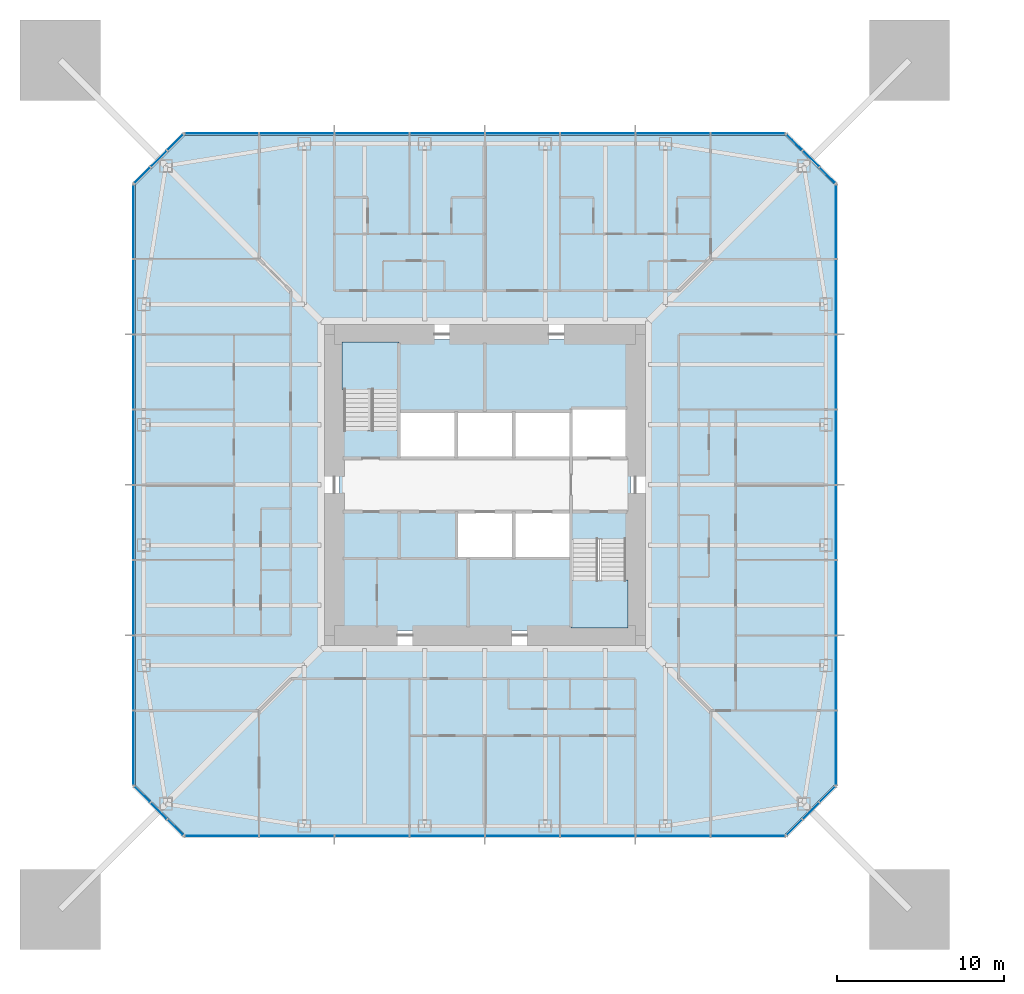
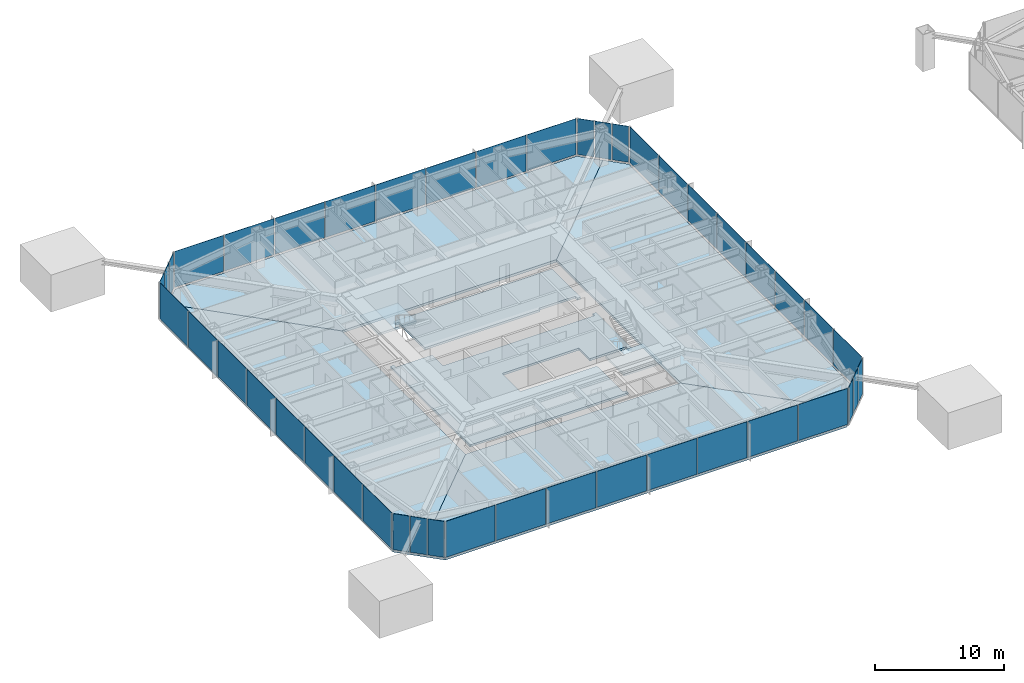
# One storey, part 11 of 25: 44 plates, 8 slabs, 10 elements without a shape of their own.
"""IFC4 building model written with IfcOpenShell, lengths in metres."""

from ifc_helpers import new_model, si_unit, direction, frame, origin, origin_2d, place, context, subcontext, project, spatial, polyline, rectangle, outline, extrude, material, layer, layer_set, constituent, constituent_set, type_object, element, aggregate, save


model = new_model("IFC4")

# Units and contexts
model_context = context("Model", 3, precision=1e-05, world=origin(), true_north=direction((0.0, 1.0)))
body_context = subcontext(model_context, "Body", "Model", "MODEL_VIEW")
ifc_project = project(units=[si_unit("LENGTHUNIT", "METRE"), si_unit("AREAUNIT", "SQUARE_METRE"), si_unit("VOLUMEUNIT", "CUBIC_METRE"), si_unit("PLANEANGLEUNIT", "RADIAN"), si_unit("MASSUNIT", "GRAM", prefix="KILO")], contexts=[model_context])

# Site, building, storey
site_placement = place(None, origin())
site = spatial("IfcSite", under=ifc_project, at=site_placement, CompositionType="ELEMENT")
building_placement = place(site_placement, origin())
building = spatial("IfcBuilding", under=site, at=building_placement, Name="Iwan Alto Co-Living Towers", CompositionType="ELEMENT")
storey_placement = place(building_placement, frame((0.0, 0.0, 112.0)))
storey = spatial("IfcBuildingStorey", under=building, at=storey_placement, Name="L30", CompositionType="ELEMENT", Elevation=112.0)

# Slabs
ifc_material_1 = material(Name="Concrete f'c 30 MPa", Category="concrete")
ifc_layer_1 = layer(ifc_material_1, 0.199951171875)
ifc_layer_set_1 = layer_set([ifc_layer_1], Name="CORE FLOOR SLAB 200")
slab_type_1 = type_object("IfcSlabType", Name="CORE FLOOR SLAB 200", PredefinedType="FLOOR", material=ifc_layer_set_1)
slab_1_placement = place(storey_placement, frame((0.0, 0.0, -0.199951171875)))
element("IfcSlab", 1, at=slab_1_placement, inside=storey, type_object=slab_type_1, Name="T1 core floor L30", PredefinedType="FLOOR", context=body_context, shape_type="SweptSolid", body=[
    extrude(outline(polyline([(5.14990234375, -1.60009765625), (1.72509765625, -1.60009765625), (-1.699951171875, -1.60009765625), (-1.699951171875, -4.39990234375), (1.72509765625, -4.39990234375), (5.14990234375, -4.39990234375), (5.14990234375, -8.39990234375), (5.4599609375, -8.39990234375), (5.4599609375, -8.699951171875), (-8.699951171875, -8.699951171875), (-8.699951171875, 3.580078125), (-8.39990234375, 3.580078125), (-8.39990234375, 3.27001953125), (-5.14990234375, 3.27001953125), (-5.14990234375, 1.60009765625), (-1.717041015625, 1.60009765625), (1.717041015625, 1.60009765625), (5.14990234375, 1.60009765625), (8.39990234375, 1.60009765625), (8.39990234375, 1.909912109375), (8.699951171875, 1.909912109375), (8.699951171875, -3.580078125), (8.39990234375, -3.580078125), (8.39990234375, -3.27001953125), (5.14990234375, -3.27001953125), (5.14990234375, -1.60009765625)])), origin(), (0.0, 0.0, 1.0), 0.199951171875),
])
slab_2_placement = place(storey_placement, frame((0.0, 0.0, -0.199951171875)))
element("IfcSlab", 2, at=slab_2_placement, inside=storey, type_object=slab_type_1, Name="T1 core floor L30", PredefinedType="FLOOR", context=body_context, shape_type="SweptSolid", body=[
    extrude(outline(polyline([(1.717041015625, 4.39990234375), (-1.717041015625, 4.39990234375), (-5.14990234375, 4.39990234375), (-5.14990234375, 8.39990234375), (-5.4599609375, 8.39990234375), (-5.4599609375, 8.699951171875), (8.699951171875, 8.699951171875), (8.699951171875, 4.2900390625), (8.39990234375, 4.2900390625), (8.39990234375, 4.60009765625), (5.14990234375, 4.60009765625), (5.14990234375, 4.39990234375), (1.717041015625, 4.39990234375)])), origin(), (0.0, 0.0, 1.0), 0.199951171875),
])

# Curtain wall, plates
ifc_material_2 = material(Name="Bronze aluminium unitised frame", Category="aluminium")
curtain_wall_type_1 = type_object("IfcCurtainWallType", Name="CURTAIN WALL CW-A", PredefinedType="NOTDEFINED", material=ifc_material_2)
curtain_wall_1_placement = place(storey_placement, origin())
curtain_wall_1 = element("IfcCurtainWall", 3, at=curtain_wall_1_placement, inside=storey, type_object=curtain_wall_type_1, Name="T1 curtain wall S L30", PredefinedType="NOTDEFINED")
ifc_material_3 = material(Name="Bronze-tinted insulating glass", Category="glass")
ifc_layer_2 = layer(ifc_material_3, 0.031982421875)
ifc_layer_set_2 = layer_set([ifc_layer_2], Name="CW-A PANEL TINTED IGU 32")
plate_type_1 = type_object("IfcPlateType", Name="CW-A PANEL TINTED IGU 32", PredefinedType="CURTAIN_PANEL", material=ifc_layer_set_2)
plate_1_placement = place(storey_placement, frame((-15.72998046875, -21.0, 0.10009765625), z_axis=(0.0, 0.0, 1.0), x_axis=(1.0, 0.0, 0.0)))
plate_1 = element("IfcPlate", 4, at=plate_1_placement, type_object=plate_type_1, Name="CW-A panel 1.1", PredefinedType="CURTAIN_PANEL", context=body_context, shape_type="SweptSolid", body=[
    extrude(rectangle(XDim=4.3798828125, YDim=0.031982421875, at=origin_2d()), origin(), (0.0, 0.0, 1.0), 3.39990234375),
])
plate_2_placement = place(storey_placement, frame((-11.25, -21.0, 0.10009765625), z_axis=(0.0, 0.0, 1.0), x_axis=(1.0, 0.0, 0.0)))
plate_2 = element("IfcPlate", 5, at=plate_2_placement, type_object=plate_type_1, Name="CW-A panel 2.1", PredefinedType="CURTAIN_PANEL", context=body_context, shape_type="SweptSolid", body=[
    extrude(rectangle(XDim=4.419921875, YDim=0.031982421875, at=origin_2d()), origin(), (0.0, 0.0, 1.0), 3.39990234375),
])
plate_3_placement = place(storey_placement, frame((-6.75, -21.0, 0.10009765625), z_axis=(0.0, 0.0, 1.0), x_axis=(1.0, 0.0, 0.0)))
plate_3 = element("IfcPlate", 6, at=plate_3_placement, type_object=plate_type_1, Name="CW-A panel 3.1", PredefinedType="CURTAIN_PANEL", context=body_context, shape_type="SweptSolid", body=[
    extrude(rectangle(XDim=4.419921875, YDim=0.031982421875, at=origin_2d()), origin(), (0.0, 0.0, 1.0), 3.39990234375),
])
plate_4_placement = place(storey_placement, frame((-2.25, -21.0, 0.10009765625), z_axis=(0.0, 0.0, 1.0), x_axis=(1.0, 0.0, 0.0)))
plate_4 = element("IfcPlate", 7, at=plate_4_placement, type_object=plate_type_1, Name="CW-A panel 4.1", PredefinedType="CURTAIN_PANEL", context=body_context, shape_type="SweptSolid", body=[
    extrude(rectangle(XDim=4.419921875, YDim=0.031982421875, at=origin_2d()), origin(), (0.0, 0.0, 1.0), 3.39990234375),
])
plate_5_placement = place(storey_placement, frame((2.25, -21.0, 0.10009765625), z_axis=(0.0, 0.0, 1.0), x_axis=(1.0, 0.0, 0.0)))
plate_5 = element("IfcPlate", 8, at=plate_5_placement, type_object=plate_type_1, Name="CW-A panel 5.1", PredefinedType="CURTAIN_PANEL", context=body_context, shape_type="SweptSolid", body=[
    extrude(rectangle(XDim=4.419921875, YDim=0.031982421875, at=origin_2d()), origin(), (0.0, 0.0, 1.0), 3.39990234375),
])
plate_6_placement = place(storey_placement, frame((6.75, -21.0, 0.10009765625), z_axis=(0.0, 0.0, 1.0), x_axis=(1.0, 0.0, 0.0)))
plate_6 = element("IfcPlate", 9, at=plate_6_placement, type_object=plate_type_1, Name="CW-A panel 6.1", PredefinedType="CURTAIN_PANEL", context=body_context, shape_type="SweptSolid", body=[
    extrude(rectangle(XDim=4.419921875, YDim=0.031982421875, at=origin_2d()), origin(), (0.0, 0.0, 1.0), 3.39990234375),
])
plate_7_placement = place(storey_placement, frame((11.25, -21.0, 0.10009765625), z_axis=(0.0, 0.0, 1.0), x_axis=(1.0, 0.0, 0.0)))
plate_7 = element("IfcPlate", 10, at=plate_7_placement, type_object=plate_type_1, Name="CW-A panel 7.1", PredefinedType="CURTAIN_PANEL", context=body_context, shape_type="SweptSolid", body=[
    extrude(rectangle(XDim=4.419921875, YDim=0.031982421875, at=origin_2d()), origin(), (0.0, 0.0, 1.0), 3.39990234375),
])
plate_8_placement = place(storey_placement, frame((15.72998046875, -21.0, 0.10009765625), z_axis=(0.0, 0.0, 1.0), x_axis=(1.0, 0.0, 0.0)))
plate_8 = element("IfcPlate", 11, at=plate_8_placement, type_object=plate_type_1, Name="CW-A panel 8.1", PredefinedType="CURTAIN_PANEL", context=body_context, shape_type="SweptSolid", body=[
    extrude(rectangle(XDim=4.3798828125, YDim=0.031982421875, at=origin_2d()), origin(), (0.0, 0.0, 1.0), 3.39990234375),
])
aggregate(curtain_wall_1, [plate_1, plate_2, plate_3, plate_4, plate_5, plate_6, plate_7, plate_8])

curtain_wall_2_placement = place(storey_placement, origin())
curtain_wall_2 = element("IfcCurtainWall", 12, at=curtain_wall_2_placement, inside=storey, type_object=curtain_wall_type_1, Name="T1 curtain wall E L30", PredefinedType="NOTDEFINED")
plate_9_placement = place(storey_placement, frame((21.0, -15.72998046875, 0.10009765625), z_axis=(0.0, 0.0, 1.0), x_axis=(0.0, 1.0, 0.0)))
plate_9 = element("IfcPlate", 13, at=plate_9_placement, type_object=plate_type_1, Name="CW-A panel 1.1", PredefinedType="CURTAIN_PANEL", context=body_context, shape_type="SweptSolid", body=[
    extrude(rectangle(XDim=4.3798828125, YDim=0.031982421875, at=origin_2d()), origin(), (0.0, 0.0, 1.0), 3.39990234375),
])
plate_10_placement = place(storey_placement, frame((21.0, -11.25, 0.10009765625), z_axis=(0.0, 0.0, 1.0), x_axis=(0.0, 1.0, 0.0)))
plate_10 = element("IfcPlate", 14, at=plate_10_placement, type_object=plate_type_1, Name="CW-A panel 2.1", PredefinedType="CURTAIN_PANEL", context=body_context, shape_type="SweptSolid", body=[
    extrude(rectangle(XDim=4.419921875, YDim=0.031982421875, at=origin_2d()), origin(), (0.0, 0.0, 1.0), 3.39990234375),
])
plate_11_placement = place(storey_placement, frame((21.0, -6.75, 0.10009765625), z_axis=(0.0, 0.0, 1.0), x_axis=(0.0, 1.0, 0.0)))
plate_11 = element("IfcPlate", 15, at=plate_11_placement, type_object=plate_type_1, Name="CW-A panel 3.1", PredefinedType="CURTAIN_PANEL", context=body_context, shape_type="SweptSolid", body=[
    extrude(rectangle(XDim=4.419921875, YDim=0.031982421875, at=origin_2d()), origin(), (0.0, 0.0, 1.0), 3.39990234375),
])
plate_12_placement = place(storey_placement, frame((21.0, -2.25, 0.10009765625), z_axis=(0.0, 0.0, 1.0), x_axis=(0.0, 1.0, 0.0)))
plate_12 = element("IfcPlate", 16, at=plate_12_placement, type_object=plate_type_1, Name="CW-A panel 4.1", PredefinedType="CURTAIN_PANEL", context=body_context, shape_type="SweptSolid", body=[
    extrude(rectangle(XDim=4.419921875, YDim=0.031982421875, at=origin_2d()), origin(), (0.0, 0.0, 1.0), 3.39990234375),
])
plate_13_placement = place(storey_placement, frame((21.0, 2.25, 0.10009765625), z_axis=(0.0, 0.0, 1.0), x_axis=(0.0, 1.0, 0.0)))
plate_13 = element("IfcPlate", 17, at=plate_13_placement, type_object=plate_type_1, Name="CW-A panel 5.1", PredefinedType="CURTAIN_PANEL", context=body_context, shape_type="SweptSolid", body=[
    extrude(rectangle(XDim=4.419921875, YDim=0.031982421875, at=origin_2d()), origin(), (0.0, 0.0, 1.0), 3.39990234375),
])
plate_14_placement = place(storey_placement, frame((21.0, 6.75, 0.10009765625), z_axis=(0.0, 0.0, 1.0), x_axis=(0.0, 1.0, 0.0)))
plate_14 = element("IfcPlate", 18, at=plate_14_placement, type_object=plate_type_1, Name="CW-A panel 6.1", PredefinedType="CURTAIN_PANEL", context=body_context, shape_type="SweptSolid", body=[
    extrude(rectangle(XDim=4.419921875, YDim=0.031982421875, at=origin_2d()), origin(), (0.0, 0.0, 1.0), 3.39990234375),
])
plate_15_placement = place(storey_placement, frame((21.0, 11.25, 0.10009765625), z_axis=(0.0, 0.0, 1.0), x_axis=(0.0, 1.0, 0.0)))
plate_15 = element("IfcPlate", 19, at=plate_15_placement, type_object=plate_type_1, Name="CW-A panel 7.1", PredefinedType="CURTAIN_PANEL", context=body_context, shape_type="SweptSolid", body=[
    extrude(rectangle(XDim=4.419921875, YDim=0.031982421875, at=origin_2d()), origin(), (0.0, 0.0, 1.0), 3.39990234375),
])
plate_16_placement = place(storey_placement, frame((21.0, 15.72998046875, 0.10009765625), z_axis=(0.0, 0.0, 1.0), x_axis=(0.0, 1.0, 0.0)))
plate_16 = element("IfcPlate", 20, at=plate_16_placement, type_object=plate_type_1, Name="CW-A panel 8.1", PredefinedType="CURTAIN_PANEL", context=body_context, shape_type="SweptSolid", body=[
    extrude(rectangle(XDim=4.3798828125, YDim=0.031982421875, at=origin_2d()), origin(), (0.0, 0.0, 1.0), 3.39990234375),
])
aggregate(curtain_wall_2, [plate_9, plate_10, plate_11, plate_12, plate_13, plate_14, plate_15, plate_16])

curtain_wall_3_placement = place(storey_placement, origin())
curtain_wall_3 = element("IfcCurtainWall", 21, at=curtain_wall_3_placement, inside=storey, type_object=curtain_wall_type_1, Name="T1 curtain wall N L30", PredefinedType="NOTDEFINED")
plate_17_placement = place(storey_placement, frame((15.72998046875, 21.0, 0.10009765625), z_axis=(0.0, 0.0, 1.0), x_axis=(-1.0, 0.0, 0.0)))
plate_17 = element("IfcPlate", 22, at=plate_17_placement, type_object=plate_type_1, Name="CW-A panel 1.1", PredefinedType="CURTAIN_PANEL", context=body_context, shape_type="SweptSolid", body=[
    extrude(rectangle(XDim=4.3798828125, YDim=0.031982421875, at=origin_2d()), origin(), (0.0, 0.0, 1.0), 3.39990234375),
])
plate_18_placement = place(storey_placement, frame((11.25, 21.0, 0.10009765625), z_axis=(0.0, 0.0, 1.0), x_axis=(-1.0, 0.0, 0.0)))
plate_18 = element("IfcPlate", 23, at=plate_18_placement, type_object=plate_type_1, Name="CW-A panel 2.1", PredefinedType="CURTAIN_PANEL", context=body_context, shape_type="SweptSolid", body=[
    extrude(rectangle(XDim=4.419921875, YDim=0.031982421875, at=origin_2d()), origin(), (0.0, 0.0, 1.0), 3.39990234375),
])
plate_19_placement = place(storey_placement, frame((6.75, 21.0, 0.10009765625), z_axis=(0.0, 0.0, 1.0), x_axis=(-1.0, 0.0, 0.0)))
plate_19 = element("IfcPlate", 24, at=plate_19_placement, type_object=plate_type_1, Name="CW-A panel 3.1", PredefinedType="CURTAIN_PANEL", context=body_context, shape_type="SweptSolid", body=[
    extrude(rectangle(XDim=4.419921875, YDim=0.031982421875, at=origin_2d()), origin(), (0.0, 0.0, 1.0), 3.39990234375),
])
plate_20_placement = place(storey_placement, frame((2.25, 21.0, 0.10009765625), z_axis=(0.0, 0.0, 1.0), x_axis=(-1.0, 0.0, 0.0)))
plate_20 = element("IfcPlate", 25, at=plate_20_placement, type_object=plate_type_1, Name="CW-A panel 4.1", PredefinedType="CURTAIN_PANEL", context=body_context, shape_type="SweptSolid", body=[
    extrude(rectangle(XDim=4.419921875, YDim=0.031982421875, at=origin_2d()), origin(), (0.0, 0.0, 1.0), 3.39990234375),
])
plate_21_placement = place(storey_placement, frame((-2.25, 21.0, 0.10009765625), z_axis=(0.0, 0.0, 1.0), x_axis=(-1.0, 0.0, 0.0)))
plate_21 = element("IfcPlate", 26, at=plate_21_placement, type_object=plate_type_1, Name="CW-A panel 5.1", PredefinedType="CURTAIN_PANEL", context=body_context, shape_type="SweptSolid", body=[
    extrude(rectangle(XDim=4.419921875, YDim=0.031982421875, at=origin_2d()), origin(), (0.0, 0.0, 1.0), 3.39990234375),
])
plate_22_placement = place(storey_placement, frame((-6.75, 21.0, 0.10009765625), z_axis=(0.0, 0.0, 1.0), x_axis=(-1.0, 0.0, 0.0)))
plate_22 = element("IfcPlate", 27, at=plate_22_placement, type_object=plate_type_1, Name="CW-A panel 6.1", PredefinedType="CURTAIN_PANEL", context=body_context, shape_type="SweptSolid", body=[
    extrude(rectangle(XDim=4.419921875, YDim=0.031982421875, at=origin_2d()), origin(), (0.0, 0.0, 1.0), 3.39990234375),
])
plate_23_placement = place(storey_placement, frame((-11.25, 21.0, 0.10009765625), z_axis=(0.0, 0.0, 1.0), x_axis=(-1.0, 0.0, 0.0)))
plate_23 = element("IfcPlate", 28, at=plate_23_placement, type_object=plate_type_1, Name="CW-A panel 7.1", PredefinedType="CURTAIN_PANEL", context=body_context, shape_type="SweptSolid", body=[
    extrude(rectangle(XDim=4.419921875, YDim=0.031982421875, at=origin_2d()), origin(), (0.0, 0.0, 1.0), 3.39990234375),
])
plate_24_placement = place(storey_placement, frame((-15.72998046875, 21.0, 0.10009765625), z_axis=(0.0, 0.0, 1.0), x_axis=(-1.0, 0.0, 0.0)))
plate_24 = element("IfcPlate", 29, at=plate_24_placement, type_object=plate_type_1, Name="CW-A panel 8.1", PredefinedType="CURTAIN_PANEL", context=body_context, shape_type="SweptSolid", body=[
    extrude(rectangle(XDim=4.3798828125, YDim=0.031982421875, at=origin_2d()), origin(), (0.0, 0.0, 1.0), 3.39990234375),
])
aggregate(curtain_wall_3, [plate_17, plate_18, plate_19, plate_20, plate_21, plate_22, plate_23, plate_24])

curtain_wall_4_placement = place(storey_placement, origin())
curtain_wall_4 = element("IfcCurtainWall", 30, at=curtain_wall_4_placement, inside=storey, type_object=curtain_wall_type_1, Name="T1 curtain wall W L30", PredefinedType="NOTDEFINED")
plate_25_placement = place(storey_placement, frame((-21.0, 15.72998046875, 0.10009765625), z_axis=(0.0, 0.0, 1.0), x_axis=(0.0, -1.0, 0.0)))
plate_25 = element("IfcPlate", 31, at=plate_25_placement, type_object=plate_type_1, Name="CW-A panel 1.1", PredefinedType="CURTAIN_PANEL", context=body_context, shape_type="SweptSolid", body=[
    extrude(rectangle(XDim=4.3798828125, YDim=0.031982421875, at=origin_2d()), origin(), (0.0, 0.0, 1.0), 3.39990234375),
])
plate_26_placement = place(storey_placement, frame((-21.0, 11.25, 0.10009765625), z_axis=(0.0, 0.0, 1.0), x_axis=(0.0, -1.0, 0.0)))
plate_26 = element("IfcPlate", 32, at=plate_26_placement, type_object=plate_type_1, Name="CW-A panel 2.1", PredefinedType="CURTAIN_PANEL", context=body_context, shape_type="SweptSolid", body=[
    extrude(rectangle(XDim=4.419921875, YDim=0.031982421875, at=origin_2d()), origin(), (0.0, 0.0, 1.0), 3.39990234375),
])
plate_27_placement = place(storey_placement, frame((-21.0, 6.75, 0.10009765625), z_axis=(0.0, 0.0, 1.0), x_axis=(0.0, -1.0, 0.0)))
plate_27 = element("IfcPlate", 33, at=plate_27_placement, type_object=plate_type_1, Name="CW-A panel 3.1", PredefinedType="CURTAIN_PANEL", context=body_context, shape_type="SweptSolid", body=[
    extrude(rectangle(XDim=4.419921875, YDim=0.031982421875, at=origin_2d()), origin(), (0.0, 0.0, 1.0), 3.39990234375),
])
plate_28_placement = place(storey_placement, frame((-21.0, 2.25, 0.10009765625), z_axis=(0.0, 0.0, 1.0), x_axis=(0.0, -1.0, 0.0)))
plate_28 = element("IfcPlate", 34, at=plate_28_placement, type_object=plate_type_1, Name="CW-A panel 4.1", PredefinedType="CURTAIN_PANEL", context=body_context, shape_type="SweptSolid", body=[
    extrude(rectangle(XDim=4.419921875, YDim=0.031982421875, at=origin_2d()), origin(), (0.0, 0.0, 1.0), 3.39990234375),
])
plate_29_placement = place(storey_placement, frame((-21.0, -2.25, 0.10009765625), z_axis=(0.0, 0.0, 1.0), x_axis=(0.0, -1.0, 0.0)))
plate_29 = element("IfcPlate", 35, at=plate_29_placement, type_object=plate_type_1, Name="CW-A panel 5.1", PredefinedType="CURTAIN_PANEL", context=body_context, shape_type="SweptSolid", body=[
    extrude(rectangle(XDim=4.419921875, YDim=0.031982421875, at=origin_2d()), origin(), (0.0, 0.0, 1.0), 3.39990234375),
])
plate_30_placement = place(storey_placement, frame((-21.0, -6.75, 0.10009765625), z_axis=(0.0, 0.0, 1.0), x_axis=(0.0, -1.0, 0.0)))
plate_30 = element("IfcPlate", 36, at=plate_30_placement, type_object=plate_type_1, Name="CW-A panel 6.1", PredefinedType="CURTAIN_PANEL", context=body_context, shape_type="SweptSolid", body=[
    extrude(rectangle(XDim=4.419921875, YDim=0.031982421875, at=origin_2d()), origin(), (0.0, 0.0, 1.0), 3.39990234375),
])
plate_31_placement = place(storey_placement, frame((-21.0, -11.25, 0.10009765625), z_axis=(0.0, 0.0, 1.0), x_axis=(0.0, -1.0, 0.0)))
plate_31 = element("IfcPlate", 37, at=plate_31_placement, type_object=plate_type_1, Name="CW-A panel 7.1", PredefinedType="CURTAIN_PANEL", context=body_context, shape_type="SweptSolid", body=[
    extrude(rectangle(XDim=4.419921875, YDim=0.031982421875, at=origin_2d()), origin(), (0.0, 0.0, 1.0), 3.39990234375),
])
plate_32_placement = place(storey_placement, frame((-21.0, -15.72998046875, 0.10009765625), z_axis=(0.0, 0.0, 1.0), x_axis=(0.0, -1.0, 0.0)))
plate_32 = element("IfcPlate", 38, at=plate_32_placement, type_object=plate_type_1, Name="CW-A panel 8.1", PredefinedType="CURTAIN_PANEL", context=body_context, shape_type="SweptSolid", body=[
    extrude(rectangle(XDim=4.3798828125, YDim=0.031982421875, at=origin_2d()), origin(), (0.0, 0.0, 1.0), 3.39990234375),
])
aggregate(curtain_wall_4, [plate_25, plate_26, plate_27, plate_28, plate_29, plate_30, plate_31, plate_32])

ifc_material_4 = material(Name="Bronze aluminium unitised frame", Category="aluminium")
curtain_wall_type_2 = type_object("IfcCurtainWallType", Name="CURTAIN WALL CW-B", PredefinedType="NOTDEFINED", material=ifc_material_4)
curtain_wall_5_placement = place(storey_placement, origin())
curtain_wall_5 = element("IfcCurtainWall", 39, at=curtain_wall_5_placement, inside=storey, type_object=curtain_wall_type_2, Name="T1 chamfer curtain wall SE L30", PredefinedType="NOTDEFINED")
ifc_material_5 = material(Name="Bronze-tinted insulating glass", Category="glass")
ifc_layer_3 = layer(ifc_material_5, 0.031982421875)
ifc_layer_set_3 = layer_set([ifc_layer_3], Name="CW-B PANEL TINTED IGU 32")
plate_type_2 = type_object("IfcPlateType", Name="CW-B PANEL TINTED IGU 32", PredefinedType="CURTAIN_PANEL", material=ifc_layer_set_3)
plate_33_placement = place(storey_placement, frame((18.51416015625, -20.48583984375, 0.10009765625), z_axis=(0.0, 0.0, 1.0), x_axis=(0.707106781187, 0.707106781187, 0.0)))
plate_33 = element("IfcPlate", 40, at=plate_33_placement, type_object=plate_type_2, Name="CW-B panel 1.1", PredefinedType="CURTAIN_PANEL", context=body_context, shape_type="SweptSolid", body=[
    extrude(rectangle(XDim=1.294189453125, YDim=0.031982421875, at=origin_2d()), origin(), (0.0, 0.0, 1.0), 3.39990234375),
])
plate_34_placement = place(storey_placement, frame((19.5, -19.5, 0.10009765625), z_axis=(0.0, 0.0, 1.0), x_axis=(0.707106781187, 0.707106781187, 0.0)))
plate_34 = element("IfcPlate", 41, at=plate_34_placement, type_object=plate_type_2, Name="CW-B panel 2.1", PredefinedType="CURTAIN_PANEL", context=body_context, shape_type="SweptSolid", body=[
    extrude(rectangle(XDim=1.334228515625, YDim=0.031982421875, at=origin_2d()), origin(), (0.0, 0.0, 1.0), 3.39990234375),
])
plate_35_placement = place(storey_placement, frame((20.48583984375, -18.51416015625, 0.10009765625), z_axis=(0.0, 0.0, 1.0), x_axis=(0.707106781187, 0.707106781187, 0.0)))
plate_35 = element("IfcPlate", 42, at=plate_35_placement, type_object=plate_type_2, Name="CW-B panel 3.1", PredefinedType="CURTAIN_PANEL", context=body_context, shape_type="SweptSolid", body=[
    extrude(rectangle(XDim=1.294189453125, YDim=0.031982421875, at=origin_2d()), origin(), (0.0, 0.0, 1.0), 3.39990234375),
])
aggregate(curtain_wall_5, [plate_33, plate_34, plate_35])

curtain_wall_6_placement = place(storey_placement, origin())
curtain_wall_6 = element("IfcCurtainWall", 43, at=curtain_wall_6_placement, inside=storey, type_object=curtain_wall_type_2, Name="T1 chamfer curtain wall NE L30", PredefinedType="NOTDEFINED")
plate_36_placement = place(storey_placement, frame((20.48583984375, 18.51416015625, 0.10009765625), z_axis=(0.0, 0.0, 1.0), x_axis=(-0.707106781187, 0.707106781187, 0.0)))
plate_36 = element("IfcPlate", 44, at=plate_36_placement, type_object=plate_type_2, Name="CW-B panel 1.1", PredefinedType="CURTAIN_PANEL", context=body_context, shape_type="SweptSolid", body=[
    extrude(rectangle(XDim=1.294189453125, YDim=0.031982421875, at=origin_2d()), origin(), (0.0, 0.0, 1.0), 3.39990234375),
])
plate_37_placement = place(storey_placement, frame((19.5, 19.5, 0.10009765625), z_axis=(0.0, 0.0, 1.0), x_axis=(-0.707106781187, 0.707106781187, 0.0)))
plate_37 = element("IfcPlate", 45, at=plate_37_placement, type_object=plate_type_2, Name="CW-B panel 2.1", PredefinedType="CURTAIN_PANEL", context=body_context, shape_type="SweptSolid", body=[
    extrude(rectangle(XDim=1.334228515625, YDim=0.031982421875, at=origin_2d()), origin(), (0.0, 0.0, 1.0), 3.39990234375),
])
plate_38_placement = place(storey_placement, frame((18.51416015625, 20.48583984375, 0.10009765625), z_axis=(0.0, 0.0, 1.0), x_axis=(-0.707106781187, 0.707106781187, 0.0)))
plate_38 = element("IfcPlate", 46, at=plate_38_placement, type_object=plate_type_2, Name="CW-B panel 3.1", PredefinedType="CURTAIN_PANEL", context=body_context, shape_type="SweptSolid", body=[
    extrude(rectangle(XDim=1.294189453125, YDim=0.031982421875, at=origin_2d()), origin(), (0.0, 0.0, 1.0), 3.39990234375),
])
aggregate(curtain_wall_6, [plate_36, plate_37, plate_38])

curtain_wall_7_placement = place(storey_placement, origin())
curtain_wall_7 = element("IfcCurtainWall", 47, at=curtain_wall_7_placement, inside=storey, type_object=curtain_wall_type_2, Name="T1 chamfer curtain wall NW L30", PredefinedType="NOTDEFINED")
plate_39_placement = place(storey_placement, frame((-18.51416015625, 20.48583984375, 0.10009765625), z_axis=(0.0, 0.0, 1.0), x_axis=(-0.707106781187, -0.707106781187, 0.0)))
plate_39 = element("IfcPlate", 48, at=plate_39_placement, type_object=plate_type_2, Name="CW-B panel 1.1", PredefinedType="CURTAIN_PANEL", context=body_context, shape_type="SweptSolid", body=[
    extrude(rectangle(XDim=1.294189453125, YDim=0.031982421875, at=origin_2d()), origin(), (0.0, 0.0, 1.0), 3.39990234375),
])
plate_40_placement = place(storey_placement, frame((-19.5, 19.5, 0.10009765625), z_axis=(0.0, 0.0, 1.0), x_axis=(-0.707106781187, -0.707106781187, 0.0)))
plate_40 = element("IfcPlate", 49, at=plate_40_placement, type_object=plate_type_2, Name="CW-B panel 2.1", PredefinedType="CURTAIN_PANEL", context=body_context, shape_type="SweptSolid", body=[
    extrude(rectangle(XDim=1.334228515625, YDim=0.031982421875, at=origin_2d()), origin(), (0.0, 0.0, 1.0), 3.39990234375),
])
plate_41_placement = place(storey_placement, frame((-20.48583984375, 18.51416015625, 0.10009765625), z_axis=(0.0, 0.0, 1.0), x_axis=(-0.707106781187, -0.707106781187, 0.0)))
plate_41 = element("IfcPlate", 50, at=plate_41_placement, type_object=plate_type_2, Name="CW-B panel 3.1", PredefinedType="CURTAIN_PANEL", context=body_context, shape_type="SweptSolid", body=[
    extrude(rectangle(XDim=1.294189453125, YDim=0.031982421875, at=origin_2d()), origin(), (0.0, 0.0, 1.0), 3.39990234375),
])
aggregate(curtain_wall_7, [plate_39, plate_40, plate_41])

curtain_wall_8_placement = place(storey_placement, origin())
curtain_wall_8 = element("IfcCurtainWall", 51, at=curtain_wall_8_placement, inside=storey, type_object=curtain_wall_type_2, Name="T1 chamfer curtain wall SW L30", PredefinedType="NOTDEFINED")
plate_42_placement = place(storey_placement, frame((-20.48583984375, -18.51416015625, 0.10009765625), z_axis=(0.0, 0.0, 1.0), x_axis=(0.707106781187, -0.707106781187, 0.0)))
plate_42 = element("IfcPlate", 52, at=plate_42_placement, type_object=plate_type_2, Name="CW-B panel 1.1", PredefinedType="CURTAIN_PANEL", context=body_context, shape_type="SweptSolid", body=[
    extrude(rectangle(XDim=1.294189453125, YDim=0.031982421875, at=origin_2d()), origin(), (0.0, 0.0, 1.0), 3.39990234375),
])
plate_43_placement = place(storey_placement, frame((-19.5, -19.5, 0.10009765625), z_axis=(0.0, 0.0, 1.0), x_axis=(0.707106781187, -0.707106781187, 0.0)))
plate_43 = element("IfcPlate", 53, at=plate_43_placement, type_object=plate_type_2, Name="CW-B panel 2.1", PredefinedType="CURTAIN_PANEL", context=body_context, shape_type="SweptSolid", body=[
    extrude(rectangle(XDim=1.334228515625, YDim=0.031982421875, at=origin_2d()), origin(), (0.0, 0.0, 1.0), 3.39990234375),
])
plate_44_placement = place(storey_placement, frame((-18.51416015625, -20.48583984375, 0.10009765625), z_axis=(0.0, 0.0, 1.0), x_axis=(0.707106781187, -0.707106781187, 0.0)))
plate_44 = element("IfcPlate", 54, at=plate_44_placement, type_object=plate_type_2, Name="CW-B panel 3.1", PredefinedType="CURTAIN_PANEL", context=body_context, shape_type="SweptSolid", body=[
    extrude(rectangle(XDim=1.294189453125, YDim=0.031982421875, at=origin_2d()), origin(), (0.0, 0.0, 1.0), 3.39990234375),
])
aggregate(curtain_wall_8, [plate_42, plate_43, plate_44])

# Stair, slab
ifc_material_6 = material(Name="Steel ASTM A36", Category="steel")
ifc_constituent_1 = constituent(ifc_material_6, Name="Stringers", Category="LoadBearing")
ifc_material_7 = material(Name="Concrete f'c 30 MPa", Category="concrete")
ifc_constituent_2 = constituent(ifc_material_7, Name="Tread fill", Category="Finish")
ifc_constituent_set = constituent_set(constituents=[ifc_constituent_1, ifc_constituent_2], Name="STAIR 3500 TWO-FLIGHT T1 CORE")
stair_type = type_object("IfcStairType", Name="STAIR 3500 TWO-FLIGHT T1 CORE", PredefinedType="HALF_TURN_STAIR", material=ifc_constituent_set)
stair_1_placement = place(storey_placement, origin())
stair_1 = element("IfcStair", 55, at=stair_1_placement, inside=storey, type_object=stair_type, Name="Stair T1-S1 L30 to L31", PredefinedType="HALF_TURN_STAIR")
ifc_material_8 = material(Name="Concrete f'c 30 MPa", Category="concrete")
ifc_layer_4 = layer(ifc_material_8, 0.199951171875)
ifc_layer_set_4 = layer_set([ifc_layer_4], Name="STAIR LANDING 200")
slab_type_2 = type_object("IfcSlabType", Name="STAIR LANDING 200", PredefinedType="LANDING", material=ifc_layer_set_4)
slab_3_placement = place(storey_placement, frame((0.0, 0.0, 1.550048828125)))
slab_3 = element("IfcSlab", 56, at=slab_3_placement, type_object=slab_type_2, Name="T1-S1 landing 1", PredefinedType="LANDING", context=body_context, shape_type="SweptSolid", body=[
    extrude(outline(polyline([(-8.550048828125, 5.68994140625), (-8.550048828125, 8.550048828125), (-5.14990234375, 8.550048828125), (-5.14990234375, 5.68994140625), (-8.550048828125, 5.68994140625)])), origin(), (0.0, 0.0, 1.0), 0.199951171875),
])
aggregate(stair_1, [slab_3])

stair_2_placement = place(storey_placement, origin())
stair_2 = element("IfcStair", 57, at=stair_2_placement, inside=storey, type_object=stair_type, Name="Stair T1-S2 L30 to L31", PredefinedType="HALF_TURN_STAIR")
slab_4_placement = place(storey_placement, frame((0.0, 0.0, 1.550048828125)))
slab_4 = element("IfcSlab", 58, at=slab_4_placement, type_object=slab_type_2, Name="T1-S2 landing 1", PredefinedType="LANDING", context=body_context, shape_type="SweptSolid", body=[
    extrude(outline(polyline([(5.14990234375, -5.68994140625), (5.14990234375, -8.550048828125), (8.550048828125, -8.550048828125), (8.550048828125, -5.68994140625), (5.14990234375, -5.68994140625)])), origin(), (0.0, 0.0, 1.0), 0.199951171875),
])
aggregate(stair_2, [slab_4])

# Slabs
ifc_material_9 = material(Name="Concrete f'c 30 MPa", Category="concrete")
ifc_layer_5 = layer(ifc_material_9, 0.22998046875)
ifc_layer_set_5 = layer_set([ifc_layer_5], Name="T1 FLOOR SLAB 230")
slab_type_3 = type_object("IfcSlabType", Name="T1 FLOOR SLAB 230", PredefinedType="FLOOR", material=ifc_layer_set_5)
slab_5_placement = place(storey_placement, frame((0.0, 0.0, -0.22998046875)))
element("IfcSlab", 59, at=slab_5_placement, inside=storey, type_object=slab_type_3, Name="T1 floor slab L30 S pour", PredefinedType="FLOOR", context=body_context, shape_type="SweptSolid", body=[
    extrude(outline(polyline([(17.94140625, -20.89990234375), (-17.94140625, -20.89990234375), (-19.420654296875, -19.420654296875), (-9.60009765625, -9.60009765625), (9.60009765625, -9.60009765625), (19.420654296875, -19.420654296875), (17.94140625, -20.89990234375)])), origin(), (0.0, 0.0, 1.0), 0.22998046875),
])
slab_6_placement = place(storey_placement, frame((0.0, 0.0, -0.22998046875)))
element("IfcSlab", 60, at=slab_6_placement, inside=storey, type_object=slab_type_3, Name="T1 floor slab L30 E pour", PredefinedType="FLOOR", context=body_context, shape_type="SweptSolid", body=[
    extrude(outline(polyline([(20.89990234375, 17.94140625), (20.89990234375, -17.94140625), (19.420654296875, -19.420654296875), (9.60009765625, -9.60009765625), (9.60009765625, 9.60009765625), (19.420654296875, 19.420654296875), (20.89990234375, 17.94140625)])), origin(), (0.0, 0.0, 1.0), 0.22998046875),
])
slab_7_placement = place(storey_placement, frame((0.0, 0.0, -0.22998046875)))
element("IfcSlab", 61, at=slab_7_placement, inside=storey, type_object=slab_type_3, Name="T1 floor slab L30 N pour", PredefinedType="FLOOR", context=body_context, shape_type="SweptSolid", body=[
    extrude(outline(polyline([(-17.94140625, 20.89990234375), (17.94140625, 20.89990234375), (19.420654296875, 19.420654296875), (9.60009765625, 9.60009765625), (-9.60009765625, 9.60009765625), (-19.420654296875, 19.420654296875), (-17.94140625, 20.89990234375)])), origin(), (0.0, 0.0, 1.0), 0.22998046875),
])
slab_8_placement = place(storey_placement, frame((0.0, 0.0, -0.22998046875)))
element("IfcSlab", 62, at=slab_8_placement, inside=storey, type_object=slab_type_3, Name="T1 floor slab L30 W pour", PredefinedType="FLOOR", context=body_context, shape_type="SweptSolid", body=[
    extrude(outline(polyline([(-20.89990234375, 17.94140625), (-19.420654296875, 19.420654296875), (-9.60009765625, 9.60009765625), (-9.60009765625, -9.60009765625), (-19.420654296875, -19.420654296875), (-20.89990234375, -17.94140625), (-20.89990234375, 17.94140625)])), origin(), (0.0, 0.0, 1.0), 0.22998046875),
])

save(model, "model.ifc")
